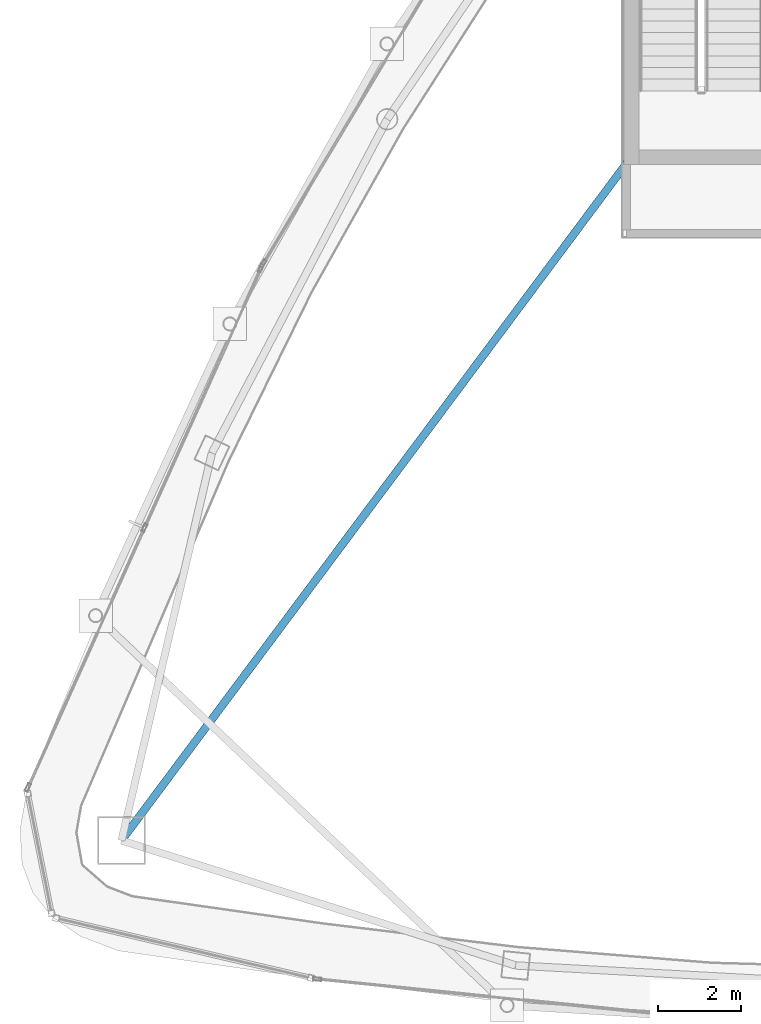
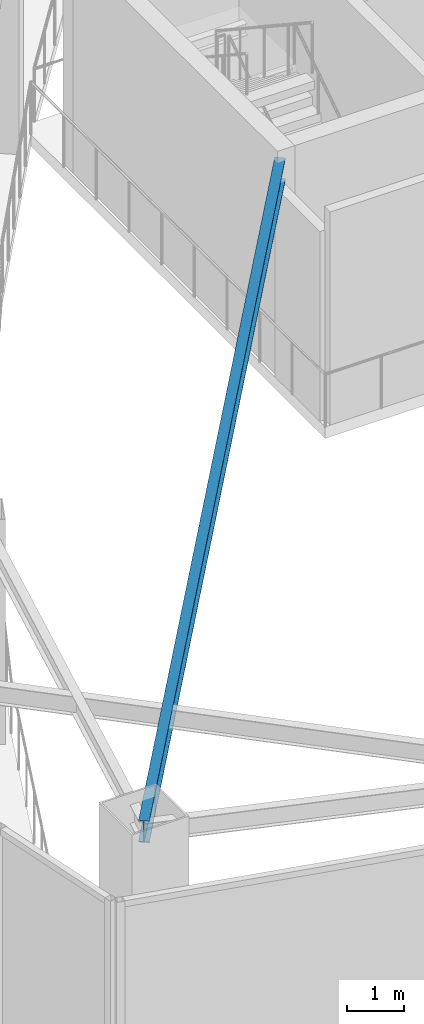
# One storey, part 5 of 19: 1 beam.
"""IFC4 building model written with IfcOpenShell, lengths in metres."""

from ifc_helpers import new_model, si_unit, direction, frame, origin, origin_2d, place, context, subcontext, project, spatial, i_section, extrude, material, material_profile, profile_set, type_object, element, save


model = new_model("IFC4")

# Units and contexts
model_context = context("Model", 3, precision=1e-05, world=origin(), true_north=direction((0.0, 1.0)))
body_context = subcontext(model_context, "Body", "Model", "MODEL_VIEW")
ifc_project = project(units=[si_unit("LENGTHUNIT", "METRE"), si_unit("AREAUNIT", "SQUARE_METRE"), si_unit("VOLUMEUNIT", "CUBIC_METRE"), si_unit("PLANEANGLEUNIT", "RADIAN"), si_unit("MASSUNIT", "GRAM", prefix="KILO")], contexts=[model_context])

# Site, building, storey
site_placement = place(None, origin())
site = spatial("IfcSite", under=ifc_project, at=site_placement, CompositionType="ELEMENT")
building_placement = place(site_placement, origin())
building = spatial("IfcBuilding", under=site, at=building_placement, Name="Orvanel Arch Residences", CompositionType="ELEMENT")
storey_placement = place(building_placement, frame((0.0, 0.0, 290.89990234375)))
storey = spatial("IfcBuildingStorey", under=building, at=storey_placement, Name="L82", CompositionType="ELEMENT", Elevation=290.89990234375)

# Beam
ifc_material = material(Name="Structural steel AS/NZS 3679.1 Grade 300 (300 MPa)", Category="steel")
ifc_material_profile = material_profile(ifc_material, i_section(OverallWidth=0.19091796875, OverallDepth=0.4599609375, WebThickness=0.010009765625, FlangeThickness=0.01611328125, at=origin_2d()), Name="460UB82.1")
ifc_profile_set = profile_set([ifc_material_profile], Name="Structural steel AS/NZS 3679.1 Grade 300 (300 MPa)")
beam_type = type_object("IfcBeamType", Name="BG-460UB", PredefinedType="BEAM", material=ifc_profile_set)
beam_placement = place(storey_placement, frame((26.375, 26.675048828125, 4.320068359375), z_axis=(-0.597893733742, -0.801575375839, 0.0), x_axis=(0.801575375839, -0.597893733742, 0.0)))
element("IfcBeam", 1, at=beam_placement, inside=storey, type_object=beam_type, Name="L82 South-West Radial Girder", PredefinedType="BEAM", context=body_context, shape_type="SweptSolid", body=[
    extrude(i_section(OverallWidth=0.19091796875, OverallDepth=0.4599609375, WebThickness=0.010009765625, FlangeThickness=0.01611328125, at=origin_2d()), origin(), (0.0, 0.0, 1.0), 20.36474609375),
])

save(model, "model.ifc")
